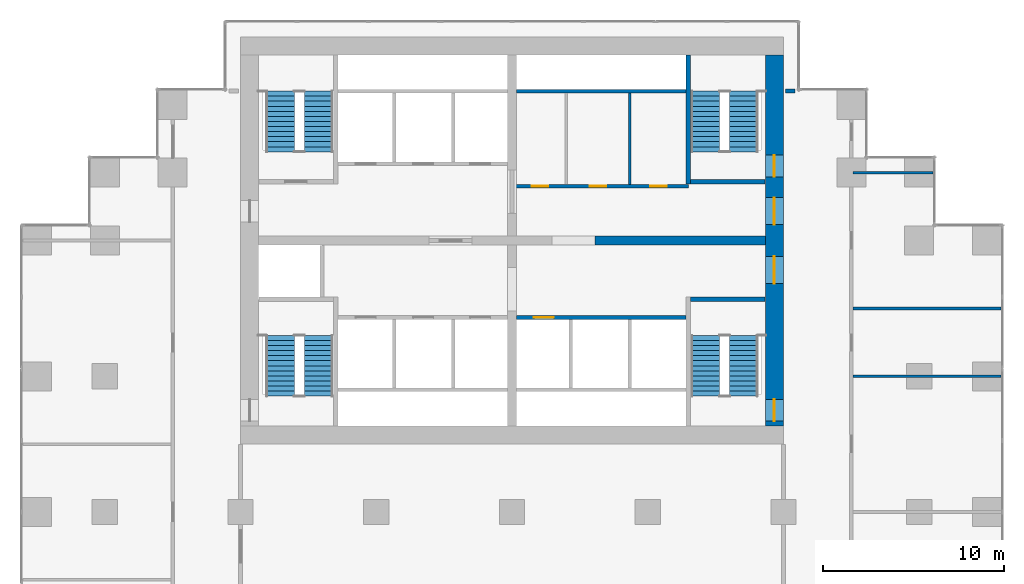
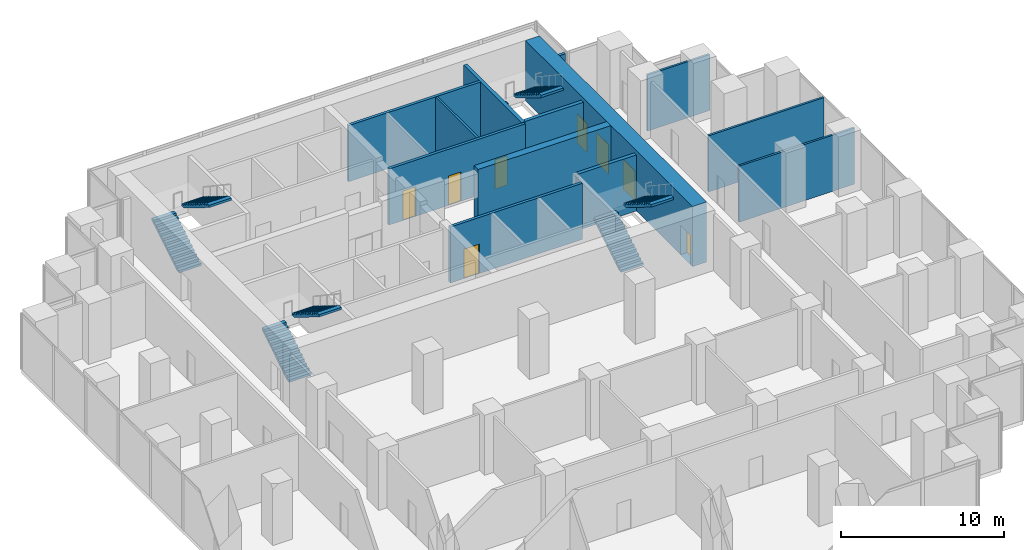
# One storey, part 9 of 10: 13 walls, 8 doors, 8 stair flights, 8 openings, 4 elements without a shape of their own.
"""IFC4 building model written with IfcOpenShell, lengths in metres."""

import ifcopenshell
import ifcopenshell.guid

model = None  # the IFC model being written
_history = None  # IfcOwnerHistory: only IFC2X3 demands one
_inside = {}  # id of a spatial element -> (the spatial element, [elements in it])
_under = {}  # id of a project, library or spatial element -> (it, [spatial elements below it])
_declared = {}  # id of a project -> (the project, [libraries it declares])
_typed = {}  # id of a type object -> (the type object, [elements of that type])
_made_of = {}  # id of a material, layer set ... -> (it, [elements and type objects made of it])


def new_model(schema):
    """Start an empty IFC model of exactly this schema.

    Asked for "IFC4X3", IfcOpenShell would pick the latest addendum, in which some entities
    have other attributes; the version numbers below select the first issue.
    IFC2X3 requires an IfcOwnerHistory on every rooted entity: one is made here for all.
    """
    global model, _history
    if schema == "IFC4X3":
        model = ifcopenshell.file(schema_version=(4, 3, 0, 0))
    else:
        model = ifcopenshell.file(schema=schema)
    _inside.clear()
    _under.clear()
    _declared.clear()
    _typed.clear()
    _made_of.clear()
    _history = None
    if model.schema == "IFC2X3":
        org = make("IfcOrganization", Name="unknown")
        user = make(
            "IfcPersonAndOrganization",
            ThePerson=make("IfcPerson", FamilyName="unknown"),
            TheOrganization=org,
        )
        app = make(
            "IfcApplication",
            ApplicationDeveloper=org,
            Version="unknown",
            ApplicationFullName="unknown",
            ApplicationIdentifier="unknown",
        )
        _history = make(
            "IfcOwnerHistory",
            OwningUser=user,
            OwningApplication=app,
            ChangeAction="ADDED",
            CreationDate=0,
        )
    return model


def make(cls, **values):
    """One entity of the class cls with the attributes given. An attribute that is None is left unset."""
    return model.create_entity(
        cls, **{name: value for name, value in values.items() if value is not None}
    )


def rooted(cls, **values):
    """An entity with a GlobalId (a new one), such as an element, a storey or a relation."""
    return make(cls, GlobalId=ifcopenshell.guid.new(), OwnerHistory=_history, **values)


def si_unit(unit_type, name, prefix=None):
    """IfcSIUnit, for example si_unit("LENGTHUNIT", "METRE", prefix="MILLI")."""
    return make("IfcSIUnit", UnitType=unit_type, Prefix=prefix, Name=name)


def assignment(units):
    """IfcUnitAssignment: the units of a project."""
    return None if units is None else make("IfcUnitAssignment", Units=units)


def point(xyz):
    """IfcCartesianPoint."""
    return None if xyz is None else make("IfcCartesianPoint", Coordinates=xyz)


def direction(xyz):
    """IfcDirection."""
    return None if xyz is None else make("IfcDirection", DirectionRatios=xyz)


def frame(location, z_axis=None, x_axis=None):
    """IfcAxis2Placement3D, a coordinate frame: its origin and axes. An axis left out is left unset."""
    return make(
        "IfcAxis2Placement3D",
        Location=point(location),
        Axis=direction(z_axis),
        RefDirection=direction(x_axis),
    )


def frame_2d(location, x_axis=None):
    """IfcAxis2Placement2D, a coordinate frame in the plane: its origin and x axis."""
    return make(
        "IfcAxis2Placement2D", Location=point(location), RefDirection=direction(x_axis)
    )


def origin():
    """The frame at (0, 0, 0) with its axes left unset."""
    return frame((0.0, 0.0, 0.0))


def place(relative_to, where):
    """IfcLocalPlacement: puts the frame where relative to a parent placement (None: the world)."""
    return make(
        "IfcLocalPlacement", PlacementRelTo=relative_to, RelativePlacement=where
    )


def context(
    kind, dimensions, precision=None, world=None, true_north=None, identifier=None
):
    """IfcGeometricRepresentationContext, for example the 3D "Model" context."""
    return make(
        "IfcGeometricRepresentationContext",
        ContextIdentifier=identifier,
        ContextType=kind,
        CoordinateSpaceDimension=dimensions,
        Precision=precision,
        WorldCoordinateSystem=world,
        TrueNorth=true_north,
    )


def subcontext(parent, identifier, kind, view, scale=None):
    """IfcGeometricRepresentationSubContext, for example "Body" below "Model"."""
    return make(
        "IfcGeometricRepresentationSubContext",
        ContextIdentifier=identifier,
        ContextType=kind,
        ParentContext=parent,
        TargetScale=scale,
        TargetView=view,
    )


def project(units=None, contexts=None):
    """IfcProject with its units and contexts."""
    return rooted(
        "IfcProject",
        Name="project",
        RepresentationContexts=contexts,
        UnitsInContext=assignment(units),
    )


def spatial(cls, under=None, at=None, **own):
    """A site, building, storey or space (cls), placed at a placement, below another one or the project."""
    s = rooted(cls, ObjectPlacement=at, **own)
    if under is not None:
        _under.setdefault(under.id(), (under, []))[1].append(s)
    return s


def polyline(points):
    """IfcPolyline through the points."""
    return make("IfcPolyline", Points=[point(p) for p in points])


def profile(cls, at=None, kind="AREA", **sizes):
    """A parametric profile (cls). Its sizes go by their IFC names, for example OverallWidth=200.0."""
    return make(cls, ProfileType=kind, Position=at, **sizes)


def rectangle(**sizes):
    """IfcRectangleProfileDef."""
    return profile("IfcRectangleProfileDef", **sizes)


def outline(outer, holes=None, kind="AREA"):
    """IfcArbitraryClosedProfileDef: a profile drawn as a closed curve; with holes, ...WithVoids."""
    if holes is None:
        return make("IfcArbitraryClosedProfileDef", ProfileType=kind, OuterCurve=outer)
    return make(
        "IfcArbitraryProfileDefWithVoids",
        ProfileType=kind,
        OuterCurve=outer,
        InnerCurves=holes,
    )


def extrude(swept, where, along, depth):
    """IfcExtrudedAreaSolid: the profile swept, set in the frame where, extruded along a direction by depth."""
    return make(
        "IfcExtrudedAreaSolid",
        SweptArea=swept,
        Position=where,
        ExtrudedDirection=direction(along),
        Depth=depth,
    )


def shape(context_of_items, identifier, shape_type, items):
    """IfcShapeRepresentation: the items that make up one representation, for example the "Body"."""
    return make(
        "IfcShapeRepresentation",
        ContextOfItems=context_of_items,
        RepresentationIdentifier=identifier,
        RepresentationType=shape_type,
        Items=items,
    )


def material(Name=None, Category=None):
    """IfcMaterial."""
    return make("IfcMaterial", Name=Name, Category=Category)


def layer(
    of_material, thickness, ventilated=None, Name=None, Category=None, Priority=None
):
    """IfcMaterialLayer: one layer of a wall or slab, of a material (None: an air gap)."""
    return make(
        "IfcMaterialLayer",
        Material=of_material,
        LayerThickness=thickness,
        IsVentilated=ventilated,
        Name=Name,
        Category=Category,
        Priority=Priority,
    )


def layer_set(layers, Name=None):
    """IfcMaterialLayerSet."""
    return make("IfcMaterialLayerSet", MaterialLayers=layers, LayerSetName=Name)


def made_of(thing, what):
    """Note that an element or type object is made of a material, layer set ...; save() writes the relation."""
    if what is not None:
        _made_of.setdefault(what.id(), (what, []))[1].append(thing)
    return thing


def type_object(cls, material=None, **own):
    """A type object (cls), such as IfcWallType, which elements share."""
    return made_of(rooted(cls, **own), material)


def element(
    cls,
    number,
    at=None,
    inside=None,
    cuts=None,
    type_object=None,
    material=None,
    context=None,
    identifier="Body",
    shape_type=None,
    held_by="IfcProductDefinitionShape",
    body=None,
    shapes=None,
    **own,
):
    """One element of the class cls, such as IfcWall. Its Tag is "e" and its number.

    at: its placement. inside: the storey or other place that contains it. cuts: it is an
    opening in that element (IfcRelVoidsElement). A single representation is given by context,
    identifier, shape_type and body (its items); several are given by shapes. held_by: the class
    of the entity that holds the representations. save() writes the other relations.
    """
    e = rooted(cls, Tag="e%d" % number, ObjectPlacement=at, **own)
    if body is not None:
        shapes = [shape(context, identifier, shape_type, body)]
    if shapes is not None:
        e.Representation = make(held_by, Representations=shapes)
    if inside is not None:
        _inside.setdefault(inside.id(), (inside, []))[1].append(e)
    if cuts is not None:
        rooted(
            "IfcRelVoidsElement", RelatingBuildingElement=cuts, RelatedOpeningElement=e
        )
    if type_object is not None:
        _typed.setdefault(type_object.id(), (type_object, []))[1].append(e)
    return made_of(e, material)


def fill(opening, filler):
    """IfcRelFillsElement: the door or window that sits in an opening."""
    return rooted(
        "IfcRelFillsElement",
        RelatingOpeningElement=opening,
        RelatedBuildingElement=filler,
    )


def aggregate(whole, parts):
    """IfcRelAggregates: a whole, such as a stair, and the parts it consists of."""
    return rooted("IfcRelAggregates", RelatingObject=whole, RelatedObjects=parts)


def save(model, path):
    """Write the relations noted so far, then the file.

    IfcRelAggregates (storeys below a building ...), IfcRelContainedInSpatialStructure (elements
    in a storey), IfcRelDefinesByType, IfcRelAssociatesMaterial and IfcRelDeclares: one each for
    every whole, place, type object, material and project.
    """
    for whole, parts in _under.values():
        aggregate(whole, parts)
    for where, things in _inside.values():
        rooted(
            "IfcRelContainedInSpatialStructure",
            RelatedElements=things,
            RelatingStructure=where,
        )
    for kind, things in _typed.values():
        rooted("IfcRelDefinesByType", RelatedObjects=things, RelatingType=kind)
    for what, things in _made_of.values():
        rooted("IfcRelAssociatesMaterial", RelatedObjects=things, RelatingMaterial=what)
    for by, libraries in _declared.values():
        rooted("IfcRelDeclares", RelatingContext=by, RelatedDefinitions=libraries)
    model.write(path)


model = new_model("IFC4")

# Units and contexts
model_context = context("Model", 3, precision=1e-05, world=origin(), true_north=direction((0.0, 1.0)))
body_context = subcontext(model_context, "Body", "Model", "MODEL_VIEW")
ifc_project = project(units=[si_unit("LENGTHUNIT", "METRE"), si_unit("AREAUNIT", "SQUARE_METRE"), si_unit("VOLUMEUNIT", "CUBIC_METRE"), si_unit("PLANEANGLEUNIT", "RADIAN"), si_unit("MASSUNIT", "GRAM", prefix="KILO")], contexts=[model_context])

# Site, building, storey
site_placement = place(None, origin())
site = spatial("IfcSite", under=ifc_project, at=site_placement, CompositionType="ELEMENT")
building_placement = place(site_placement, origin())
building = spatial("IfcBuilding", under=site, at=building_placement, Name="Pilkhan Gate Tower", CompositionType="ELEMENT")
storey_placement = place(building_placement, frame((0.0, 0.0, 35.0)))
storey = spatial("IfcBuildingStorey", under=building, at=storey_placement, Name="L05", CompositionType="ELEMENT", Elevation=35.0)

# Wall, openings, doors
ifc_material_1 = material(Name="Concrete C70/85", Category="concrete")
ifc_layer_1 = layer(ifc_material_1, 1.0)
ifc_layer_set_1 = layer_set([ifc_layer_1], Name="Core wall CW1000 C70/85")
wall_type_1 = type_object("IfcWallType", Name="Core wall CW1000 C70/85", PredefinedType="SHEAR", material=ifc_layer_set_1)
wall_1_placement = place(storey_placement, frame((89.5, 72.25, 0.0), z_axis=(0.0, 0.0, 1.0), x_axis=(0.0, 1.0, 0.0)))
wall_1 = element("IfcWall", 1, at=wall_1_placement, inside=storey, type_object=wall_type_1, Name="Core wall E L05", PredefinedType="SHEAR", context=body_context, shape_type="SweptSolid", body=[
    extrude(rectangle(XDim=20.5, YDim=1.0, at=frame_2d((10.25, 0.0))), origin(), (0.0, 0.0, 1.0), 4.5),
])
opening_1_placement = place(wall_1_placement, frame((0.27490234375, 0.0, 0.0)))
opening_1 = element("IfcOpeningElement", 2, at=opening_1_placement, cuts=wall_1, Name="Opening L05-03", PredefinedType="OPENING", context=body_context, shape_type="SweptSolid", body=[
    extrude(rectangle(XDim=1.199951171875, YDim=2.199951171875, at=frame_2d((0.60009765625, 1.10009765625))), frame((0.0, 0.510009765625, 0.0), z_axis=(0.0, -1.0, 0.0), x_axis=(1.0, 0.0, 0.0)), (0.0, 0.0, 1.0), 1.02001953125),
])
opening_2_placement = place(wall_1_placement, frame((13.77490234375, 0.0, 0.0)))
opening_2 = element("IfcOpeningElement", 3, at=opening_2_placement, cuts=wall_1, Name="Opening L05-05", PredefinedType="OPENING", context=body_context, shape_type="SweptSolid", body=[
    extrude(rectangle(XDim=1.199951171875, YDim=2.199951171875, at=frame_2d((0.60009765625, 1.10009765625))), frame((0.0, 0.510009765625, 0.0), z_axis=(0.0, -1.0, 0.0), x_axis=(1.0, 0.0, 0.0)), (0.0, 0.0, 1.0), 1.02001953125),
])
opening_3_placement = place(wall_1_placement, frame((7.875, 0.0, 0.0)))
opening_3 = element("IfcOpeningElement", 4, at=opening_3_placement, cuts=wall_1, Name="Opening L05-06", PredefinedType="OPENING", context=body_context, shape_type="SweptSolid", body=[
    extrude(rectangle(XDim=1.5, YDim=2.199951171875, at=frame_2d((0.75, 1.10009765625))), frame((0.0, 0.510009765625, 0.0), z_axis=(0.0, -1.0, 0.0), x_axis=(1.0, 0.0, 0.0)), (0.0, 0.0, 1.0), 1.02001953125),
])
opening_4_placement = place(wall_1_placement, frame((11.125, 0.0, 0.0)))
opening_4 = element("IfcOpeningElement", 5, at=opening_4_placement, cuts=wall_1, Name="Opening L05-08", PredefinedType="OPENING", context=body_context, shape_type="SweptSolid", body=[
    extrude(rectangle(XDim=1.5, YDim=2.199951171875, at=frame_2d((0.75, 1.10009765625))), frame((0.0, 0.510009765625, 0.0), z_axis=(0.0, -1.0, 0.0), x_axis=(1.0, 0.0, 0.0)), (0.0, 0.0, 1.0), 1.02001953125),
])
ifc_material_2 = material(Name="Steel framed glazed door, 60 minute fire resisting", Category="steel")
door_type_1 = type_object("IfcDoorType", Name="Lobby door D09 1500x2200", OperationType="DOUBLE_DOOR_SINGLE_SWING", PredefinedType="DOOR", material=ifc_material_2)
door_1_placement = place(opening_3_placement, origin())
door_1 = element("IfcDoor", 6, at=door_1_placement, inside=storey, type_object=door_type_1, Name="Core door", OperationType="DOUBLE_DOOR_SINGLE_SWING", OverallHeight=2.199951171875, OverallWidth=1.5, PredefinedType="DOOR", context=body_context, shape_type="SweptSolid", body=[
    extrude(rectangle(XDim=1.5, YDim=2.199951171875, at=frame_2d((0.75, 1.10009765625))), frame((0.0, 0.02490234375, 0.0), z_axis=(0.0, -1.0, 0.0), x_axis=(1.0, 0.0, 0.0)), (0.0, 0.0, 1.0), 0.050048828125),
])
fill(opening_3, door_1)
door_2_placement = place(opening_4_placement, origin())
door_2 = element("IfcDoor", 7, at=door_2_placement, inside=storey, type_object=door_type_1, Name="Core door", OperationType="DOUBLE_DOOR_SINGLE_SWING", OverallHeight=2.199951171875, OverallWidth=1.5, PredefinedType="DOOR", context=body_context, shape_type="SweptSolid", body=[
    extrude(rectangle(XDim=1.5, YDim=2.199951171875, at=frame_2d((0.75, 1.10009765625))), frame((0.0, 0.02490234375, 0.0), z_axis=(0.0, -1.0, 0.0), x_axis=(1.0, 0.0, 0.0)), (0.0, 0.0, 1.0), 0.050048828125),
])
fill(opening_4, door_2)
ifc_material_3 = material(Name="Steel door, 120 minute fire resisting, panic bar", Category="steel")
door_type_2 = type_object("IfcDoorType", Name="Stair door D11 1200x2200", OperationType="SINGLE_SWING_LEFT", PredefinedType="DOOR", material=ifc_material_3)
door_3_placement = place(opening_1_placement, origin())
door_3 = element("IfcDoor", 8, at=door_3_placement, inside=storey, type_object=door_type_2, Name="Stair ST1 door", OperationType="SINGLE_SWING_LEFT", OverallHeight=2.199951171875, OverallWidth=1.199951171875, PredefinedType="DOOR", context=body_context, shape_type="SweptSolid", body=[
    extrude(rectangle(XDim=1.199951171875, YDim=2.199951171875, at=frame_2d((0.60009765625, 1.10009765625))), frame((0.0, 0.02490234375, 0.0), z_axis=(0.0, -1.0, 0.0), x_axis=(1.0, 0.0, 0.0)), (0.0, 0.0, 1.0), 0.050048828125),
])
fill(opening_1, door_3)
door_4_placement = place(opening_2_placement, origin())
door_4 = element("IfcDoor", 9, at=door_4_placement, inside=storey, type_object=door_type_2, Name="Stair ST4 door", OperationType="SINGLE_SWING_LEFT", OverallHeight=2.199951171875, OverallWidth=1.199951171875, PredefinedType="DOOR", context=body_context, shape_type="SweptSolid", body=[
    extrude(rectangle(XDim=1.199951171875, YDim=2.199951171875, at=frame_2d((0.60009765625, 1.10009765625))), frame((0.0, 0.02490234375, 0.0), z_axis=(0.0, -1.0, 0.0), x_axis=(1.0, 0.0, 0.0)), (0.0, 0.0, 1.0), 0.050048828125),
])
fill(opening_2, door_4)

# Wall
ifc_material_4 = material(Name="Dense blockwork", Category="masonry")
ifc_layer_2 = layer(ifc_material_4, 0.199951171875)
ifc_layer_set_2 = layer_set([ifc_layer_2], Name="Corridor wall FW200")
wall_type_2 = type_object("IfcWallType", Name="Corridor wall FW200", PredefinedType="PARTITIONING", material=ifc_layer_set_2)
wall_2_placement = place(storey_placement, frame((90.1201171875, 90.764892578125, 0.0), z_axis=(0.0, 0.0, 1.0), x_axis=(1.0, 0.0, 0.0)))
element("IfcWall", 10, at=wall_2_placement, inside=storey, type_object=wall_type_2, Name="Partition L05", PredefinedType="PARTITIONING", context=body_context, shape_type="SweptSolid", body=[
    extrude(rectangle(XDim=0.52490234375, YDim=0.199951171875, at=frame_2d((0.262451171875, 0.0))), origin(), (0.0, 0.0, 1.0), 4.199951171875),
])

# Wall, openings, doors
ifc_layer_3 = layer(ifc_material_4, 0.199951171875)
ifc_layer_set_3 = layer_set([ifc_layer_3], Name="Lobby wall LW200")
wall_type_3 = type_object("IfcWallType", Name="Lobby wall LW200", PredefinedType="PARTITIONING", material=ifc_layer_set_3)
wall_3_placement = place(storey_placement, frame((75.10009765625, 85.5, 0.0), z_axis=(0.0, 0.0, 1.0), x_axis=(1.0, 0.0, 0.0)))
wall_3 = element("IfcWall", 11, at=wall_3_placement, inside=storey, type_object=wall_type_3, Name="Partition L05", PredefinedType="PARTITIONING", context=body_context, shape_type="SweptSolid", body=[
    extrude(rectangle(XDim=9.64990234375, YDim=0.199951171875, at=frame_2d((4.824951171875, 0.0))), origin(), (0.0, 0.0, 1.0), 4.199951171875),
])
opening_5_placement = place(wall_3_placement, frame((1.0, 0.0, 0.0)))
opening_5 = element("IfcOpeningElement", 12, at=opening_5_placement, cuts=wall_3, Name="Opening L05-09", PredefinedType="OPENING", context=body_context, shape_type="SweptSolid", body=[
    extrude(rectangle(XDim=0.89990234375, YDim=2.199951171875, at=frame_2d((0.449951171875, 1.10009765625))), frame((0.0, 0.10986328125, 0.0), z_axis=(0.0, -1.0, 0.0), x_axis=(1.0, 0.0, 0.0)), (0.0, 0.0, 1.0), 0.219970703125),
])
opening_6_placement = place(wall_3_placement, frame((4.199951171875, 0.0, 0.0)))
opening_6 = element("IfcOpeningElement", 13, at=opening_6_placement, cuts=wall_3, Name="Opening L05-10", PredefinedType="OPENING", context=body_context, shape_type="SweptSolid", body=[
    extrude(rectangle(XDim=0.89990234375, YDim=2.199951171875, at=frame_2d((0.449951171875, 1.10009765625))), frame((0.0, 0.10986328125, 0.0), z_axis=(0.0, -1.0, 0.0), x_axis=(1.0, 0.0, 0.0)), (0.0, 0.0, 1.0), 0.219970703125),
])
opening_7_placement = place(wall_3_placement, frame((7.550048828125, 0.0, 0.0)))
opening_7 = element("IfcOpeningElement", 14, at=opening_7_placement, cuts=wall_3, Name="Opening L05-11", PredefinedType="OPENING", context=body_context, shape_type="SweptSolid", body=[
    extrude(rectangle(XDim=0.89990234375, YDim=2.199951171875, at=frame_2d((0.449951171875, 1.10009765625))), frame((0.0, 0.10986328125, 0.0), z_axis=(0.0, -1.0, 0.0), x_axis=(1.0, 0.0, 0.0)), (0.0, 0.0, 1.0), 0.219970703125),
])
ifc_material_5 = material(Name="Timber flush door, 60 minute fire resisting, self-closing", Category="wood")
door_type_3 = type_object("IfcDoorType", Name="Store door D05 900x2200", OperationType="SINGLE_SWING_LEFT", PredefinedType="DOOR", material=ifc_material_5)
door_5_placement = place(opening_6_placement, origin())
door_5 = element("IfcDoor", 15, at=door_5_placement, inside=storey, type_object=door_type_3, Name="Store door", OperationType="SINGLE_SWING_LEFT", OverallHeight=2.199951171875, OverallWidth=0.89990234375, PredefinedType="DOOR", context=body_context, shape_type="SweptSolid", body=[
    extrude(rectangle(XDim=0.89990234375, YDim=2.199951171875, at=frame_2d((0.449951171875, 1.10009765625))), frame((0.0, 0.02490234375, 0.0), z_axis=(0.0, -1.0, 0.0), x_axis=(1.0, 0.0, 0.0)), (0.0, 0.0, 1.0), 0.050048828125),
])
fill(opening_6, door_5)
door_6_placement = place(opening_7_placement, origin())
door_6 = element("IfcDoor", 16, at=door_6_placement, inside=storey, type_object=door_type_3, Name="Store door", OperationType="SINGLE_SWING_RIGHT", OverallHeight=2.199951171875, OverallWidth=0.89990234375, PredefinedType="DOOR", context=body_context, shape_type="SweptSolid", body=[
    extrude(rectangle(XDim=0.89990234375, YDim=2.199951171875, at=frame_2d((0.449951171875, 1.10009765625))), frame((0.0, 0.02490234375, 0.0), z_axis=(0.0, -1.0, 0.0), x_axis=(1.0, 0.0, 0.0)), (0.0, 0.0, 1.0), 0.050048828125),
])
fill(opening_7, door_6)
ifc_material_6 = material(Name="Timber flush door, 30 minute fire resisting", Category="wood")
door_type_4 = type_object("IfcDoorType", Name="Toilet door D06 900x2200", OperationType="SINGLE_SWING_LEFT", PredefinedType="DOOR", material=ifc_material_6)
door_7_placement = place(opening_5_placement, origin())
door_7 = element("IfcDoor", 17, at=door_7_placement, inside=storey, type_object=door_type_4, Name="Toilet door", OperationType="SINGLE_SWING_LEFT", OverallHeight=2.199951171875, OverallWidth=0.89990234375, PredefinedType="DOOR", context=body_context, shape_type="SweptSolid", body=[
    extrude(rectangle(XDim=0.89990234375, YDim=2.199951171875, at=frame_2d((0.449951171875, 1.10009765625))), frame((0.0, 0.02490234375, 0.0), z_axis=(0.0, -1.0, 0.0), x_axis=(1.0, 0.0, 0.0)), (0.0, 0.0, 1.0), 0.050048828125),
])
fill(opening_5, door_7)

# Walls
wall_4_placement = place(storey_placement, frame((75.260009765625, 90.75, 0.0), z_axis=(0.0, 0.0, 1.0), x_axis=(1.0, 0.0, 0.0)))
element("IfcWall", 18, at=wall_4_placement, inside=storey, type_object=wall_type_3, Name="Partition L05", PredefinedType="PARTITIONING", context=body_context, shape_type="SweptSolid", body=[
    extrude(rectangle(XDim=9.364990234375, YDim=0.199951171875, at=frame_2d((4.6826171875, 0.0))), origin(), (0.0, 0.0, 1.0), 4.199951171875),
])
ifc_material_7 = material(Name="Blockwork partition, plastered both sides", Category="masonry")
ifc_layer_4 = layer(ifc_material_7, 0.14990234375)
ifc_layer_set_4 = layer_set([ifc_layer_4], Name="Partition PW150")
wall_type_4 = type_object("IfcWallType", Name="Partition PW150", PredefinedType="PARTITIONING", material=ifc_layer_set_4)
for number, where, z_axis, x_axis, name in (
    (19, (93.85009765625, 75.0, 0.0), (0.0, 0.0, 1.0), (1.0, 0.0, 0.0), "Partition L05"),
    (20, (93.85009765625, 78.75, 0.0), (0.0, 0.0, 1.0), (1.0, 0.0, 0.0), "Partition L05"),
):
    element("IfcWall", number, at=place(storey_placement, frame(where, z_axis=z_axis, x_axis=x_axis)), inside=storey, type_object=wall_type_4, Name=name, PredefinedType="PARTITIONING", context=body_context, shape_type="SweptSolid", body=[
        extrude(rectangle(XDim=8.164794921875, YDim=0.14990234375, at=frame_2d((4.08251953125, 0.0))), origin(), (0.0, 0.0, 1.0), 4.199951171875),
    ])
wall_5_placement = place(storey_placement, frame((93.85009765625, 86.25, 0.0), z_axis=(0.0, 0.0, 1.0), x_axis=(1.0, 0.0, 0.0)))
element("IfcWall", 21, at=wall_5_placement, inside=storey, type_object=wall_type_4, Name="Partition L05", PredefinedType="PARTITIONING", context=body_context, shape_type="SweptSolid", body=[
    extrude(rectangle(XDim=4.414794921875, YDim=0.14990234375, at=frame_2d((2.20751953125, 0.0))), origin(), (0.0, 0.0, 1.0), 4.199951171875),
])
wall_6_placement = place(storey_placement, frame((81.5, 85.60009765625, 0.0), z_axis=(0.0, 0.0, 1.0), x_axis=(0.0, 1.0, 0.0)))
element("IfcWall", 22, at=wall_6_placement, inside=storey, type_object=wall_type_4, Name="Partition L05", PredefinedType="PARTITIONING", context=body_context, shape_type="SweptSolid", body=[
    extrude(rectangle(XDim=5.0498046875, YDim=0.14990234375, at=frame_2d((2.52490234375, 0.0))), origin(), (0.0, 0.0, 1.0), 4.199951171875),
])

# Wall, opening, door
ifc_material_8 = material(Name="Reinforced blockwork shaft wall, 120 minute fire resisting", Category="masonry")
ifc_layer_5 = layer(ifc_material_8, 0.199951171875)
ifc_layer_set_5 = layer_set([ifc_layer_5], Name="Shaft wall SW200")
wall_type_5 = type_object("IfcWallType", Name="Shaft wall SW200", PredefinedType="PARTITIONING", material=ifc_layer_set_5)
wall_7_placement = place(storey_placement, frame((75.260009765625, 78.25, 0.0), z_axis=(0.0, 0.0, 1.0), x_axis=(1.0, 0.0, 0.0)))
wall_7 = element("IfcWall", 23, at=wall_7_placement, inside=storey, type_object=wall_type_5, Name="Partition L05", PredefinedType="PARTITIONING", context=body_context, shape_type="SweptSolid", body=[
    extrude(rectangle(XDim=9.364990234375, YDim=0.199951171875, at=frame_2d((4.6826171875, 0.0))), origin(), (0.0, 0.0, 1.0), 4.199951171875),
])
opening_8_placement = place(wall_7_placement, frame((0.949951171875, 0.0, 0.0)))
opening_8 = element("IfcOpeningElement", 24, at=opening_8_placement, cuts=wall_7, Name="Opening LD", PredefinedType="OPENING", context=body_context, shape_type="SweptSolid", body=[
    extrude(rectangle(XDim=1.10009765625, YDim=2.199951171875, at=frame_2d((0.550048828125, 1.10009765625))), frame((0.0, 0.10986328125, 0.0), z_axis=(0.0, -1.0, 0.0), x_axis=(1.0, 0.0, 0.0)), (0.0, 0.0, 1.0), 0.219970703125),
])
ifc_material_9 = material(Name="Stainless steel centre-opening landing door, 120 minute fire resisting", Category="steel")
door_type_5 = type_object("IfcDoorType", Name="Lift landing door LD 1100x2200", OperationType="DOUBLE_DOOR_SLIDING", PredefinedType="DOOR", material=ifc_material_9)
door_8_placement = place(opening_8_placement, origin())
door_8 = element("IfcDoor", 25, at=door_8_placement, inside=storey, type_object=door_type_5, Name="Landing door LR4", OperationType="DOUBLE_DOOR_SLIDING", OverallHeight=2.199951171875, OverallWidth=1.10009765625, PredefinedType="DOOR", context=body_context, shape_type="SweptSolid", body=[
    extrude(rectangle(XDim=1.10009765625, YDim=2.199951171875, at=frame_2d((0.550048828125, 1.10009765625))), frame((0.0, 0.02490234375, 0.0), z_axis=(0.0, -1.0, 0.0), x_axis=(1.0, 0.0, 0.0)), (0.0, 0.0, 1.0), 0.050048828125),
])
fill(opening_8, door_8)

# Walls
ifc_layer_6 = layer(ifc_material_1, 0.5)
ifc_layer_set_6 = layer_set([ifc_layer_6], Name="Spine wall SW500 C70/85")
wall_type_6 = type_object("IfcWallType", Name="Spine wall SW500 C70/85", PredefinedType="SHEAR", material=ifc_layer_set_6)
wall_8_placement = place(storey_placement, frame((79.60009765625, 82.5, 0.0), z_axis=(0.0, 0.0, 1.0), x_axis=(1.0, 0.0, 0.0)))
element("IfcWall", 26, at=wall_8_placement, inside=storey, type_object=wall_type_6, Name="Spine wall SP-EW3 L05", PredefinedType="SHEAR", context=body_context, shape_type="SweptSolid", body=[
    extrude(rectangle(XDim=9.39990234375, YDim=0.5, at=frame_2d((4.699951171875, 0.0))), origin(), (0.0, 0.0, 1.0), 4.5),
])
ifc_material_10 = material(Name="Reinforced blockwork, 120 minute fire resisting", Category="masonry")
ifc_layer_7 = layer(ifc_material_10, 0.25)
ifc_layer_set_7 = layer_set([ifc_layer_7], Name="Stair enclosure wall SE250")
wall_type_7 = type_object("IfcWallType", Name="Stair enclosure wall SE250", PredefinedType="PARTITIONING", material=ifc_layer_set_7)
for number, where, z_axis, x_axis, name in (
    (27, (84.875, 79.25, 0.0), (0.0, 0.0, 1.0), (1.0, 0.0, 0.0), "Partition L05"),
    (28, (84.875, 85.75, 0.0), (0.0, 0.0, 1.0), (1.0, 0.0, 0.0), "Partition L05"),
):
    element("IfcWall", number, at=place(storey_placement, frame(where, z_axis=z_axis, x_axis=x_axis)), inside=storey, type_object=wall_type_7, Name=name, PredefinedType="PARTITIONING", context=body_context, shape_type="SweptSolid", body=[
        extrude(rectangle(XDim=4.114990234375, YDim=0.25, at=frame_2d((2.0576171875, 0.0))), origin(), (0.0, 0.0, 1.0), 4.199951171875),
    ])
wall_9_placement = place(storey_placement, frame((84.75, 85.625, 0.0), z_axis=(0.0, 0.0, 1.0), x_axis=(0.0, 1.0, 0.0)))
element("IfcWall", 29, at=wall_9_placement, inside=storey, type_object=wall_type_7, Name="Partition L05", PredefinedType="PARTITIONING", context=body_context, shape_type="SweptSolid", body=[
    extrude(rectangle(XDim=7.114990234375, YDim=0.25, at=frame_2d((3.5576171875, 0.0))), origin(), (0.0, 0.0, 1.0), 4.199951171875),
])

# Stair, stair flights
ifc_material_11 = material(Name="Concrete C40/50 precast", Category="concrete")
stair_type_1 = type_object("IfcStairType", Name="Stair ST1 173x280", PredefinedType="HALF_TURN_STAIR", material=ifc_material_11)
stair_1_placement = place(storey_placement, origin())
stair_1 = element("IfcStair", 30, at=stair_1_placement, inside=storey, type_object=stair_type_1, Name="Stair ST1 L05", PredefinedType="HALF_TURN_STAIR")
stair_flight_type_1 = type_object("IfcStairFlightType", Name="Stair flight ST1 173x280x13", PredefinedType="STRAIGHT", material=ifc_material_11)
stair_flight_1_placement = place(storey_placement, frame((85.68994140625, 73.89990234375, 0.0), z_axis=(0.0, 0.0, 1.0), x_axis=(0.0, 1.0, 0.0)))
stair_flight_1 = element("IfcStairFlight", 31, at=stair_flight_1_placement, type_object=stair_flight_type_1, Name="ST1 flight 1", NumberOfRisers=13, NumberOfTreads=12, PredefinedType="STRAIGHT", RiserHeight=0.173076923, TreadLength=0.28, context=body_context, shape_type="SweptSolid", body=[
    extrude(outline(polyline([(0.0, 0.0), (0.0, 0.173095703125), (0.280029296875, 0.173095703125), (0.280029296875, 0.34619140625), (0.56005859375, 0.34619140625), (0.56005859375, 0.519287109375), (0.840087890625, 0.519287109375), (0.840087890625, 0.6923828125), (1.1201171875, 0.6923828125), (1.1201171875, 0.865478515625), (1.39990234375, 0.865478515625), (1.39990234375, 1.03857421875), (1.679931640625, 1.03857421875), (1.679931640625, 1.21142578125), (1.9599609375, 1.21142578125), (1.9599609375, 1.384521484375), (2.239990234375, 1.384521484375), (2.239990234375, 1.5576171875), (2.52001953125, 1.5576171875), (2.52001953125, 1.730712890625), (2.800048828125, 1.730712890625), (2.800048828125, 1.90380859375), (3.080078125, 1.90380859375), (3.080078125, 2.076904296875), (3.360107421875, 2.076904296875), (3.360107421875, 2.25), (3.360107421875, 1.900634765625), (0.28515625, 0.0), (0.0, 0.0)])), frame((0.0, 0.7900390625, 0.0), z_axis=(0.0, -1.0, 0.0), x_axis=(1.0, 0.0, 0.0)), (0.0, 0.0, 1.0), 1.580078125),
])
stair_flight_2_placement = place(storey_placement, frame((87.81005859375, 77.260009765625, 2.25), z_axis=(0.0, 0.0, 1.0), x_axis=(0.0, -1.0, 0.0)))
stair_flight_2 = element("IfcStairFlight", 32, at=stair_flight_2_placement, type_object=stair_flight_type_1, Name="ST1 flight 2", NumberOfRisers=13, NumberOfTreads=12, PredefinedType="STRAIGHT", RiserHeight=0.173076923, TreadLength=0.28, context=body_context, shape_type="SweptSolid", body=[
    extrude(outline(polyline([(0.0, 0.0), (0.0, 0.173095703125), (0.280029296875, 0.173095703125), (0.280029296875, 0.34619140625), (0.56005859375, 0.34619140625), (0.56005859375, 0.519287109375), (0.840087890625, 0.519287109375), (0.840087890625, 0.6923828125), (1.1201171875, 0.6923828125), (1.1201171875, 0.865478515625), (1.39990234375, 0.865478515625), (1.39990234375, 1.03857421875), (1.679931640625, 1.03857421875), (1.679931640625, 1.21142578125), (1.9599609375, 1.21142578125), (1.9599609375, 1.384521484375), (2.239990234375, 1.384521484375), (2.239990234375, 1.5576171875), (2.52001953125, 1.5576171875), (2.52001953125, 1.730712890625), (2.800048828125, 1.730712890625), (2.800048828125, 1.90380859375), (3.080078125, 1.90380859375), (3.080078125, 2.076904296875), (3.360107421875, 2.076904296875), (3.360107421875, 2.25), (3.360107421875, 1.900634765625), (0.28515625, 0.0), (0.0, 0.0)])), frame((0.0, 0.7900390625, 0.0), z_axis=(0.0, -1.0, 0.0), x_axis=(1.0, 0.0, 0.0)), (0.0, 0.0, 1.0), 1.580078125),
])
aggregate(stair_1, [stair_flight_1, stair_flight_2])

stair_type_2 = type_object("IfcStairType", Name="Stair ST2 173x280", PredefinedType="HALF_TURN_STAIR", material=ifc_material_11)
stair_2_placement = place(storey_placement, origin())
stair_2 = element("IfcStair", 33, at=stair_2_placement, inside=storey, type_object=stair_type_2, Name="Stair ST2 L05", PredefinedType="HALF_TURN_STAIR")
stair_flight_type_2 = type_object("IfcStairFlightType", Name="Stair flight ST2 173x280x13", PredefinedType="STRAIGHT", material=ifc_material_11)
stair_flight_3_placement = place(storey_placement, frame((62.18994140625, 73.89990234375, 0.0), z_axis=(0.0, 0.0, 1.0), x_axis=(0.0, 1.0, 0.0)))
stair_flight_3 = element("IfcStairFlight", 34, at=stair_flight_3_placement, type_object=stair_flight_type_2, Name="ST2 flight 1", NumberOfRisers=13, NumberOfTreads=12, PredefinedType="STRAIGHT", RiserHeight=0.173076923, TreadLength=0.28, context=body_context, shape_type="SweptSolid", body=[
    extrude(outline(polyline([(0.0, 0.0), (0.0, 0.173095703125), (0.280029296875, 0.173095703125), (0.280029296875, 0.34619140625), (0.56005859375, 0.34619140625), (0.56005859375, 0.519287109375), (0.840087890625, 0.519287109375), (0.840087890625, 0.6923828125), (1.1201171875, 0.6923828125), (1.1201171875, 0.865478515625), (1.39990234375, 0.865478515625), (1.39990234375, 1.03857421875), (1.679931640625, 1.03857421875), (1.679931640625, 1.21142578125), (1.9599609375, 1.21142578125), (1.9599609375, 1.384521484375), (2.239990234375, 1.384521484375), (2.239990234375, 1.5576171875), (2.52001953125, 1.5576171875), (2.52001953125, 1.730712890625), (2.800048828125, 1.730712890625), (2.800048828125, 1.90380859375), (3.080078125, 1.90380859375), (3.080078125, 2.076904296875), (3.360107421875, 2.076904296875), (3.360107421875, 2.25), (3.360107421875, 1.900634765625), (0.28515625, 0.0), (0.0, 0.0)])), frame((0.0, 0.7900390625, 0.0), z_axis=(0.0, -1.0, 0.0), x_axis=(1.0, 0.0, 0.0)), (0.0, 0.0, 1.0), 1.580078125),
])
stair_flight_4_placement = place(storey_placement, frame((64.31005859375, 77.260009765625, 2.25), z_axis=(0.0, 0.0, 1.0), x_axis=(0.0, -1.0, 0.0)))
stair_flight_4 = element("IfcStairFlight", 35, at=stair_flight_4_placement, type_object=stair_flight_type_2, Name="ST2 flight 2", NumberOfRisers=13, NumberOfTreads=12, PredefinedType="STRAIGHT", RiserHeight=0.173076923, TreadLength=0.28, context=body_context, shape_type="SweptSolid", body=[
    extrude(outline(polyline([(0.0, 0.0), (0.0, 0.173095703125), (0.280029296875, 0.173095703125), (0.280029296875, 0.34619140625), (0.56005859375, 0.34619140625), (0.56005859375, 0.519287109375), (0.840087890625, 0.519287109375), (0.840087890625, 0.6923828125), (1.1201171875, 0.6923828125), (1.1201171875, 0.865478515625), (1.39990234375, 0.865478515625), (1.39990234375, 1.03857421875), (1.679931640625, 1.03857421875), (1.679931640625, 1.21142578125), (1.9599609375, 1.21142578125), (1.9599609375, 1.384521484375), (2.239990234375, 1.384521484375), (2.239990234375, 1.5576171875), (2.52001953125, 1.5576171875), (2.52001953125, 1.730712890625), (2.800048828125, 1.730712890625), (2.800048828125, 1.90380859375), (3.080078125, 1.90380859375), (3.080078125, 2.076904296875), (3.360107421875, 2.076904296875), (3.360107421875, 2.25), (3.360107421875, 1.900634765625), (0.28515625, 0.0), (0.0, 0.0)])), frame((0.0, 0.7900390625, 0.0), z_axis=(0.0, -1.0, 0.0), x_axis=(1.0, 0.0, 0.0)), (0.0, 0.0, 1.0), 1.580078125),
])
aggregate(stair_2, [stair_flight_3, stair_flight_4])

stair_type_3 = type_object("IfcStairType", Name="Stair ST3 173x280", PredefinedType="HALF_TURN_STAIR", material=ifc_material_11)
stair_3_placement = place(storey_placement, origin())
stair_3 = element("IfcStair", 36, at=stair_3_placement, inside=storey, type_object=stair_type_3, Name="Stair ST3 L05", PredefinedType="HALF_TURN_STAIR")
stair_flight_type_3 = type_object("IfcStairFlightType", Name="Stair flight ST3 173x280x13", PredefinedType="STRAIGHT", material=ifc_material_11)
stair_flight_5_placement = place(storey_placement, frame((62.18994140625, 87.39990234375, 0.0), z_axis=(0.0, 0.0, 1.0), x_axis=(0.0, 1.0, 0.0)))
stair_flight_5 = element("IfcStairFlight", 37, at=stair_flight_5_placement, type_object=stair_flight_type_3, Name="ST3 flight 1", NumberOfRisers=13, NumberOfTreads=12, PredefinedType="STRAIGHT", RiserHeight=0.173076923, TreadLength=0.28, context=body_context, shape_type="SweptSolid", body=[
    extrude(outline(polyline([(0.0, 0.0), (0.0, 0.173095703125), (0.280029296875, 0.173095703125), (0.280029296875, 0.34619140625), (0.56005859375, 0.34619140625), (0.56005859375, 0.519287109375), (0.840087890625, 0.519287109375), (0.840087890625, 0.6923828125), (1.1201171875, 0.6923828125), (1.1201171875, 0.865478515625), (1.39990234375, 0.865478515625), (1.39990234375, 1.03857421875), (1.679931640625, 1.03857421875), (1.679931640625, 1.21142578125), (1.9599609375, 1.21142578125), (1.9599609375, 1.384521484375), (2.239990234375, 1.384521484375), (2.239990234375, 1.5576171875), (2.52001953125, 1.5576171875), (2.52001953125, 1.730712890625), (2.800048828125, 1.730712890625), (2.800048828125, 1.90380859375), (3.080078125, 1.90380859375), (3.080078125, 2.076904296875), (3.360107421875, 2.076904296875), (3.360107421875, 2.25), (3.360107421875, 1.900634765625), (0.28515625, 0.0), (0.0, 0.0)])), frame((0.0, 0.7900390625, 0.0), z_axis=(0.0, -1.0, 0.0), x_axis=(1.0, 0.0, 0.0)), (0.0, 0.0, 1.0), 1.580078125),
])
stair_flight_6_placement = place(storey_placement, frame((64.31005859375, 90.760009765625, 2.25), z_axis=(0.0, 0.0, 1.0), x_axis=(0.0, -1.0, 0.0)))
stair_flight_6 = element("IfcStairFlight", 38, at=stair_flight_6_placement, type_object=stair_flight_type_3, Name="ST3 flight 2", NumberOfRisers=13, NumberOfTreads=12, PredefinedType="STRAIGHT", RiserHeight=0.173076923, TreadLength=0.28, context=body_context, shape_type="SweptSolid", body=[
    extrude(outline(polyline([(0.0, 0.0), (0.0, 0.173095703125), (0.280029296875, 0.173095703125), (0.280029296875, 0.34619140625), (0.56005859375, 0.34619140625), (0.56005859375, 0.519287109375), (0.840087890625, 0.519287109375), (0.840087890625, 0.6923828125), (1.1201171875, 0.6923828125), (1.1201171875, 0.865478515625), (1.39990234375, 0.865478515625), (1.39990234375, 1.03857421875), (1.679931640625, 1.03857421875), (1.679931640625, 1.21142578125), (1.9599609375, 1.21142578125), (1.9599609375, 1.384521484375), (2.239990234375, 1.384521484375), (2.239990234375, 1.5576171875), (2.52001953125, 1.5576171875), (2.52001953125, 1.730712890625), (2.800048828125, 1.730712890625), (2.800048828125, 1.90380859375), (3.080078125, 1.90380859375), (3.080078125, 2.076904296875), (3.360107421875, 2.076904296875), (3.360107421875, 2.25), (3.360107421875, 1.900634765625), (0.28515625, 0.0), (0.0, 0.0)])), frame((0.0, 0.7900390625, 0.0), z_axis=(0.0, -1.0, 0.0), x_axis=(1.0, 0.0, 0.0)), (0.0, 0.0, 1.0), 1.580078125),
])
aggregate(stair_3, [stair_flight_5, stair_flight_6])

stair_type_4 = type_object("IfcStairType", Name="Stair ST4 173x280", PredefinedType="HALF_TURN_STAIR", material=ifc_material_11)
stair_4_placement = place(storey_placement, origin())
stair_4 = element("IfcStair", 39, at=stair_4_placement, inside=storey, type_object=stair_type_4, Name="Stair ST4 L05", PredefinedType="HALF_TURN_STAIR")
stair_flight_type_4 = type_object("IfcStairFlightType", Name="Stair flight ST4 173x280x13", PredefinedType="STRAIGHT", material=ifc_material_11)
stair_flight_7_placement = place(storey_placement, frame((85.68994140625, 87.39990234375, 0.0), z_axis=(0.0, 0.0, 1.0), x_axis=(0.0, 1.0, 0.0)))
stair_flight_7 = element("IfcStairFlight", 40, at=stair_flight_7_placement, type_object=stair_flight_type_4, Name="ST4 flight 1", NumberOfRisers=13, NumberOfTreads=12, PredefinedType="STRAIGHT", RiserHeight=0.173076923, TreadLength=0.28, context=body_context, shape_type="SweptSolid", body=[
    extrude(outline(polyline([(0.0, 0.0), (0.0, 0.173095703125), (0.280029296875, 0.173095703125), (0.280029296875, 0.34619140625), (0.56005859375, 0.34619140625), (0.56005859375, 0.519287109375), (0.840087890625, 0.519287109375), (0.840087890625, 0.6923828125), (1.1201171875, 0.6923828125), (1.1201171875, 0.865478515625), (1.39990234375, 0.865478515625), (1.39990234375, 1.03857421875), (1.679931640625, 1.03857421875), (1.679931640625, 1.21142578125), (1.9599609375, 1.21142578125), (1.9599609375, 1.384521484375), (2.239990234375, 1.384521484375), (2.239990234375, 1.5576171875), (2.52001953125, 1.5576171875), (2.52001953125, 1.730712890625), (2.800048828125, 1.730712890625), (2.800048828125, 1.90380859375), (3.080078125, 1.90380859375), (3.080078125, 2.076904296875), (3.360107421875, 2.076904296875), (3.360107421875, 2.25), (3.360107421875, 1.900634765625), (0.28515625, 0.0), (0.0, 0.0)])), frame((0.0, 0.7900390625, 0.0), z_axis=(0.0, -1.0, 0.0), x_axis=(1.0, 0.0, 0.0)), (0.0, 0.0, 1.0), 1.580078125),
])
stair_flight_8_placement = place(storey_placement, frame((87.81005859375, 90.760009765625, 2.25), z_axis=(0.0, 0.0, 1.0), x_axis=(0.0, -1.0, 0.0)))
stair_flight_8 = element("IfcStairFlight", 41, at=stair_flight_8_placement, type_object=stair_flight_type_4, Name="ST4 flight 2", NumberOfRisers=13, NumberOfTreads=12, PredefinedType="STRAIGHT", RiserHeight=0.173076923, TreadLength=0.28, context=body_context, shape_type="SweptSolid", body=[
    extrude(outline(polyline([(0.0, 0.0), (0.0, 0.173095703125), (0.280029296875, 0.173095703125), (0.280029296875, 0.34619140625), (0.56005859375, 0.34619140625), (0.56005859375, 0.519287109375), (0.840087890625, 0.519287109375), (0.840087890625, 0.6923828125), (1.1201171875, 0.6923828125), (1.1201171875, 0.865478515625), (1.39990234375, 0.865478515625), (1.39990234375, 1.03857421875), (1.679931640625, 1.03857421875), (1.679931640625, 1.21142578125), (1.9599609375, 1.21142578125), (1.9599609375, 1.384521484375), (2.239990234375, 1.384521484375), (2.239990234375, 1.5576171875), (2.52001953125, 1.5576171875), (2.52001953125, 1.730712890625), (2.800048828125, 1.730712890625), (2.800048828125, 1.90380859375), (3.080078125, 1.90380859375), (3.080078125, 2.076904296875), (3.360107421875, 2.076904296875), (3.360107421875, 2.25), (3.360107421875, 1.900634765625), (0.28515625, 0.0), (0.0, 0.0)])), frame((0.0, 0.7900390625, 0.0), z_axis=(0.0, -1.0, 0.0), x_axis=(1.0, 0.0, 0.0)), (0.0, 0.0, 1.0), 1.580078125),
])
aggregate(stair_4, [stair_flight_7, stair_flight_8])

save(model, "model.ifc")
